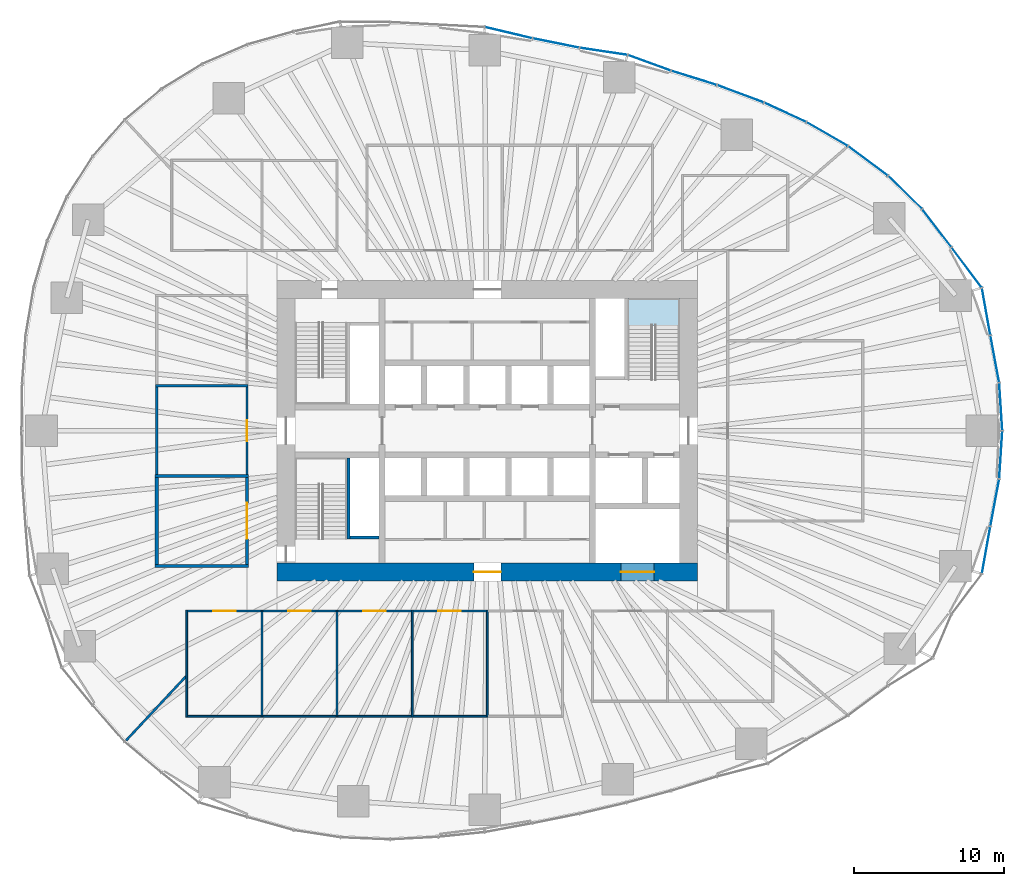
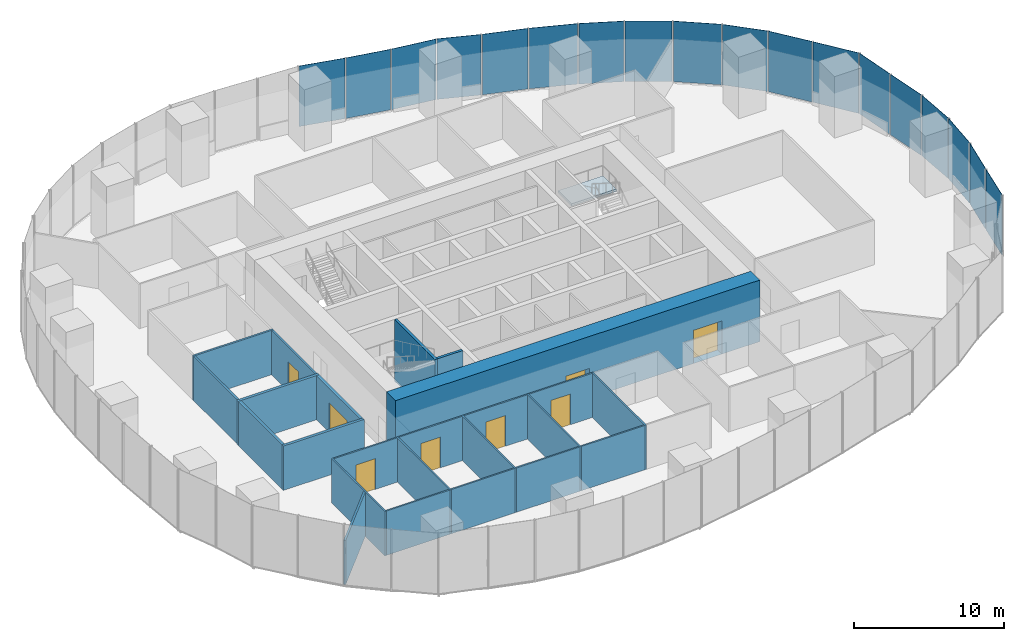
# One storey, part 9 of 20: 24 walls, 18 plates, 8 doors, 1 slab, 8 openings, 7 elements without a shape of their own.
"""IFC4 building model written with IfcOpenShell, lengths in metres."""

from ifc_helpers import new_model, si_unit, direction, frame, frame_2d, origin, origin_2d, place, context, subcontext, project, spatial, polyline, rectangle, outline, extrude, material, layer, layer_set, type_object, element, fill, aggregate, save


model = new_model("IFC4")

# Units and contexts
model_context = context("Model", 3, precision=1e-05, world=origin(), true_north=direction((0.0, 1.0)))
body_context = subcontext(model_context, "Body", "Model", "MODEL_VIEW")
ifc_project = project(units=[si_unit("LENGTHUNIT", "METRE"), si_unit("AREAUNIT", "SQUARE_METRE"), si_unit("VOLUMEUNIT", "CUBIC_METRE"), si_unit("PLANEANGLEUNIT", "RADIAN"), si_unit("MASSUNIT", "GRAM", prefix="KILO")], contexts=[model_context])

# Site, building, storey
site_placement = place(None, origin())
site = spatial("IfcSite", under=ifc_project, at=site_placement, CompositionType="ELEMENT")
building_placement = place(site_placement, origin())
building = spatial("IfcBuilding", under=site, at=building_placement, Name="Ghaith Harvest Tower", CompositionType="ELEMENT")
storey_placement = place(building_placement, frame((0.0, 0.0, 50.0)))
storey = spatial("IfcBuildingStorey", under=building, at=storey_placement, Name="L10", CompositionType="ELEMENT", Elevation=50.0)

# Curtain wall, plates
ifc_material_1 = material(Name="Black anodised aluminium and fritted glass", Category="aluminium")
curtain_wall_type = type_object("IfcCurtainWallType", Name="CW-F CURTAIN WALL", PredefinedType="NOTDEFINED", material=ifc_material_1)
curtain_wall_1_placement = place(storey_placement, origin())
curtain_wall_1 = element("IfcCurtainWall", 1, at=curtain_wall_1_placement, inside=storey, type_object=curtain_wall_type, Name="Curtain wall CW-F bay 01 L10", PredefinedType="NOTDEFINED")
ifc_material_2 = material(Name="Glass, high-transmission fritted double glazed unit", Category="glass")
ifc_layer_1 = layer(ifc_material_2, 0.028076171875)
ifc_layer_set_1 = layer_set([ifc_layer_1], Name="CW-F VISION PANEL")
plate_type = type_object("IfcPlateType", Name="CW-F VISION PANEL", PredefinedType="CURTAIN_PANEL", material=ifc_layer_set_1)
plate_1_placement = place(storey_placement, frame((34.181396484375, 1.602783203125, 0.080078125), z_axis=(0.0, 0.0, 1.0), x_axis=(-0.064445645786, 0.997921218704, 0.0)))
plate_1 = element("IfcPlate", 2, at=plate_1_placement, type_object=plate_type, Name="CW-F panel 1 bay 01 L10", PredefinedType="CURTAIN_PANEL", context=body_context, shape_type="SweptSolid", body=[
    extrude(rectangle(XDim=3.132080078125, YDim=0.028076171875, at=origin_2d()), origin(), (0.0, 0.0, 1.0), 4.919921875),
])
plate_2_placement = place(storey_placement, frame((33.78369140625, 4.78076171875, 0.080078125), z_axis=(0.0, 0.0, 1.0), x_axis=(-0.183569249502, 0.983006780565, 0.0)))
plate_2 = element("IfcPlate", 3, at=plate_2_placement, type_object=plate_type, Name="CW-F panel 2 bay 01 L10", PredefinedType="CURTAIN_PANEL", context=body_context, shape_type="SweptSolid", body=[
    extrude(rectangle(XDim=3.12548828125, YDim=0.028076171875, at=origin_2d()), origin(), (0.0, 0.0, 1.0), 4.919921875),
])
plate_3_placement = place(storey_placement, frame((33.20654296875, 7.93603515625, 0.080078125), z_axis=(0.0, 0.0, 1.0), x_axis=(-0.176319663586, 0.984332960046, 0.0)))
plate_3 = element("IfcPlate", 4, at=plate_3_placement, type_object=plate_type, Name="CW-F panel 3 bay 01 L10", PredefinedType="CURTAIN_PANEL", context=body_context, shape_type="SweptSolid", body=[
    extrude(rectangle(XDim=3.129638671875, YDim=0.028076171875, at=origin_2d()), origin(), (0.0, 0.0, 1.0), 4.919921875),
])
aggregate(curtain_wall_1, [plate_1, plate_2, plate_3])

curtain_wall_2_placement = place(storey_placement, origin())
curtain_wall_2 = element("IfcCurtainWall", 5, at=curtain_wall_2_placement, inside=storey, type_object=curtain_wall_type, Name="Curtain wall CW-F bay 02 L10", PredefinedType="NOTDEFINED")
plate_4_placement = place(storey_placement, frame((31.91015625, 10.865234375, 0.080078125), z_axis=(0.0, 0.0, 1.0), x_axis=(-0.600454091192, 0.799659230154, 0.0)))
plate_4 = element("IfcPlate", 6, at=plate_4_placement, type_object=plate_type, Name="CW-F panel 1 bay 02 L10", PredefinedType="CURTAIN_PANEL", context=body_context, shape_type="SweptSolid", body=[
    extrude(rectangle(XDim=3.295654296875, YDim=0.028076171875, at=origin_2d()), origin(), (0.0, 0.0, 1.0), 4.919921875),
])
plate_5_placement = place(storey_placement, frame((29.921875, 13.4892578125, 0.080078125), z_axis=(0.0, 0.0, 1.0), x_axis=(-0.607611877494, 0.794234100457, 0.0)))
plate_5 = element("IfcPlate", 7, at=plate_5_placement, type_object=plate_type, Name="CW-F panel 2 bay 02 L10", PredefinedType="CURTAIN_PANEL", context=body_context, shape_type="SweptSolid", body=[
    extrude(rectangle(XDim=3.128662109375, YDim=0.028076171875, at=origin_2d()), origin(), (0.0, 0.0, 1.0), 4.919921875),
])
plate_6_placement = place(storey_placement, frame((27.810546875, 15.869384765625, 0.080078125), z_axis=(0.0, 0.0, 1.0), x_axis=(-0.716691335472, 0.69739051446, 0.0)))
plate_6 = element("IfcPlate", 8, at=plate_6_placement, type_object=plate_type, Name="CW-F panel 3 bay 02 L10", PredefinedType="CURTAIN_PANEL", context=body_context, shape_type="SweptSolid", body=[
    extrude(rectangle(XDim=3.092041015625, YDim=0.028076171875, at=origin_2d()), origin(), (0.0, 0.0, 1.0), 4.919921875),
])
aggregate(curtain_wall_2, [plate_4, plate_5, plate_6])

curtain_wall_3_placement = place(storey_placement, origin())
curtain_wall_3 = element("IfcCurtainWall", 9, at=curtain_wall_3_placement, inside=storey, type_object=curtain_wall_type, Name="Curtain wall CW-F bay 03 L10", PredefinedType="NOTDEFINED")
plate_7_placement = place(storey_placement, frame((25.34619140625, 17.96142578125, 0.080078125), z_axis=(0.0, 0.0, 1.0), x_axis=(-0.802866788578, 0.596158468697, 0.0)))
plate_7 = element("IfcPlate", 10, at=plate_7_placement, type_object=plate_type, Name="CW-F panel 1 bay 03 L10", PredefinedType="CURTAIN_PANEL", context=body_context, shape_type="SweptSolid", body=[
    extrude(rectangle(XDim=3.2275390625, YDim=0.028076171875, at=origin_2d()), origin(), (0.0, 0.0, 1.0), 4.919921875),
])
plate_8_placement = place(storey_placement, frame((22.626953125, 19.750244140625, 0.080078125), z_axis=(0.0, 0.0, 1.0), x_axis=(-0.866159208358, 0.499768172033, 0.0)))
plate_8 = element("IfcPlate", 11, at=plate_8_placement, type_object=plate_type, Name="CW-F panel 2 bay 03 L10", PredefinedType="CURTAIN_PANEL", context=body_context, shape_type="SweptSolid", body=[
    extrude(rectangle(XDim=3.1328125, YDim=0.028076171875, at=origin_2d()), origin(), (0.0, 0.0, 1.0), 4.919921875),
])
plate_9_placement = place(storey_placement, frame((19.8291015625, 21.19970703125, 0.080078125), z_axis=(0.0, 0.0, 1.0), x_axis=(-0.908529586897, 0.417820523351, 0.0)))
plate_9 = element("IfcPlate", 12, at=plate_9_placement, type_object=plate_type, Name="CW-F panel 3 bay 03 L10", PredefinedType="CURTAIN_PANEL", context=body_context, shape_type="SweptSolid", body=[
    extrude(rectangle(XDim=3.01611328125, YDim=0.028076171875, at=origin_2d()), origin(), (0.0, 0.0, 1.0), 4.919921875),
])
aggregate(curtain_wall_3, [plate_7, plate_8, plate_9])

curtain_wall_4_placement = place(storey_placement, origin())
curtain_wall_4 = element("IfcCurtainWall", 13, at=curtain_wall_4_placement, inside=storey, type_object=curtain_wall_type, Name="Curtain wall CW-F bay 04 L10", PredefinedType="NOTDEFINED")
plate_10_placement = place(storey_placement, frame((16.85498046875, 22.431396484375, 0.080078125), z_axis=(0.0, 0.0, 1.0), x_axis=(-0.936926487964, 0.349526474178, 0.0)))
plate_10 = element("IfcPlate", 14, at=plate_10_placement, type_object=plate_type, Name="CW-F panel 1 bay 04 L10", PredefinedType="CURTAIN_PANEL", context=body_context, shape_type="SweptSolid", body=[
    extrude(rectangle(XDim=3.26611328125, YDim=0.028076171875, at=origin_2d()), origin(), (0.0, 0.0, 1.0), 4.919921875),
])
plate_11_placement = place(storey_placement, frame((13.760986328125, 23.490234375, 0.080078125), z_axis=(0.0, 0.0, 1.0), x_axis=(-0.954988265421, 0.296643578911, 0.0)))
plate_11 = element("IfcPlate", 15, at=plate_11_placement, type_object=plate_type, Name="CW-F panel 2 bay 04 L10", PredefinedType="CURTAIN_PANEL", context=body_context, shape_type="SweptSolid", body=[
    extrude(rectangle(XDim=3.1171875, YDim=0.028076171875, at=origin_2d()), origin(), (0.0, 0.0, 1.0), 4.919921875),
])
plate_12_placement = place(storey_placement, frame((10.793212890625, 24.490234375, 0.080078125), z_axis=(0.0, 0.0, 1.0), x_axis=(-0.939438435482, 0.342717705902, 0.0)))
plate_12 = element("IfcPlate", 16, at=plate_12_placement, type_object=plate_type, Name="CW-F panel 3 bay 04 L10", PredefinedType="CURTAIN_PANEL", context=body_context, shape_type="SweptSolid", body=[
    extrude(rectangle(XDim=2.98828125, YDim=0.028076171875, at=origin_2d()), origin(), (0.0, 0.0, 1.0), 4.919921875),
])
aggregate(curtain_wall_4, [plate_10, plate_11, plate_12])

curtain_wall_5_placement = place(storey_placement, origin())
curtain_wall_5 = element("IfcCurtainWall", 17, at=curtain_wall_5_placement, inside=storey, type_object=curtain_wall_type, Name="Curtain wall CW-F bay 05 L10", PredefinedType="NOTDEFINED")
plate_13_placement = place(storey_placement, frame((7.744384765625, 25.255615234375, 0.080078125), z_axis=(0.0, 0.0, 1.0), x_axis=(-0.989074249382, 0.147418211935, 0.0)))
plate_13 = element("IfcPlate", 18, at=plate_13_placement, type_object=plate_type, Name="CW-F panel 1 bay 05 L10", PredefinedType="CURTAIN_PANEL", context=body_context, shape_type="SweptSolid", body=[
    extrude(rectangle(XDim=3.17041015625, YDim=0.028076171875, at=origin_2d()), origin(), (0.0, 0.0, 1.0), 4.919921875),
])
plate_14_placement = place(storey_placement, frame((4.5732421875, 25.809326171875, 0.080078125), z_axis=(0.0, 0.0, 1.0), x_axis=(-0.980432348069, 0.196856320344, 0.0)))
plate_14 = element("IfcPlate", 19, at=plate_14_placement, type_object=plate_type, Name="CW-F panel 2 bay 05 L10", PredefinedType="CURTAIN_PANEL", context=body_context, shape_type="SweptSolid", body=[
    extrude(rectangle(XDim=3.1103515625, YDim=0.028076171875, at=origin_2d()), origin(), (0.0, 0.0, 1.0), 4.919921875),
])
plate_15_placement = place(storey_placement, frame((1.41259765625, 26.500244140625, 0.080078125), z_axis=(0.0, 0.0, 1.0), x_axis=(-0.97324595378, 0.229765779545, 0.0)))
plate_15 = element("IfcPlate", 20, at=plate_15_placement, type_object=plate_type, Name="CW-F panel 3 bay 05 L10", PredefinedType="CURTAIN_PANEL", context=body_context, shape_type="SweptSolid", body=[
    extrude(rectangle(XDim=3.200927734375, YDim=0.028076171875, at=origin_2d()), origin(), (0.0, 0.0, 1.0), 4.919921875),
])
aggregate(curtain_wall_5, [plate_13, plate_14, plate_15])

curtain_wall_6_placement = place(storey_placement, origin())
curtain_wall_6 = element("IfcCurtainWall", 21, at=curtain_wall_6_placement, inside=storey, type_object=curtain_wall_type, Name="Curtain wall CW-F bay 20 L10", PredefinedType="NOTDEFINED")
plate_16_placement = place(storey_placement, frame((33.20654296875, -7.93603515625, 0.080078125), z_axis=(0.0, 0.0, 1.0), x_axis=(0.176319663878, 0.984332959994, 0.0)))
plate_16 = element("IfcPlate", 22, at=plate_16_placement, type_object=plate_type, Name="CW-F panel 1 bay 20 L10", PredefinedType="CURTAIN_PANEL", context=body_context, shape_type="SweptSolid", body=[
    extrude(rectangle(XDim=3.129638671875, YDim=0.028076171875, at=origin_2d()), origin(), (0.0, 0.0, 1.0), 4.919921875),
])
plate_17_placement = place(storey_placement, frame((33.78369140625, -4.78076171875, 0.080078125), z_axis=(0.0, 0.0, 1.0), x_axis=(0.183569249777, 0.983006780514, 0.0)))
plate_17 = element("IfcPlate", 23, at=plate_17_placement, type_object=plate_type, Name="CW-F panel 2 bay 20 L10", PredefinedType="CURTAIN_PANEL", context=body_context, shape_type="SweptSolid", body=[
    extrude(rectangle(XDim=3.12548828125, YDim=0.028076171875, at=origin_2d()), origin(), (0.0, 0.0, 1.0), 4.919921875),
])
plate_18_placement = place(storey_placement, frame((34.181396484375, -1.602783203125, 0.080078125), z_axis=(0.0, 0.0, 1.0), x_axis=(0.064445645891, 0.997921218697, 0.0)))
plate_18 = element("IfcPlate", 24, at=plate_18_placement, type_object=plate_type, Name="CW-F panel 3 bay 20 L10", PredefinedType="CURTAIN_PANEL", context=body_context, shape_type="SweptSolid", body=[
    extrude(rectangle(XDim=3.132080078125, YDim=0.028076171875, at=origin_2d()), origin(), (0.0, 0.0, 1.0), 4.919921875),
])
aggregate(curtain_wall_6, [plate_16, plate_17, plate_18])

# Stair, slab
ifc_material_3 = material(Name="Concrete C40/50, precast", Category="concrete")
stair_type = type_object("IfcStairType", Name="CORE STAIR 28R", PredefinedType="HALF_TURN_STAIR", material=ifc_material_3)
stair_placement = place(storey_placement, origin())
stair = element("IfcStair", 25, at=stair_placement, inside=storey, type_object=stair_type, Name="Stair ST2 L10", PredefinedType="HALF_TURN_STAIR")
ifc_material_4 = material(Name="Concrete C40/50, precast", Category="concrete")
ifc_layer_2 = layer(ifc_material_4, 0.179931640625)
ifc_layer_set_2 = layer_set([ifc_layer_2], Name="STAIR LANDING 180")
slab_type = type_object("IfcSlabType", Name="STAIR LANDING 180", PredefinedType="LANDING", material=ifc_layer_set_2)
slab_placement = place(storey_placement, frame((0.0, 0.0, 2.320068359375)))
slab = element("IfcSlab", 26, at=slab_placement, type_object=slab_type, Name="ST2 landing 1", PredefinedType="LANDING", context=body_context, shape_type="SweptSolid", body=[
    extrude(outline(polyline([(12.800048828125, 7.02001953125), (12.800048828125, 8.800048828125), (9.35009765625, 8.800048828125), (9.35009765625, 7.02001953125), (12.800048828125, 7.02001953125)])), origin(), (0.0, 0.0, 1.0), 0.179931640625),
])
aggregate(stair, [slab])

# Walls
ifc_material_5 = material(Name="Concrete blockwork, 1-hour", Category="masonry")
ifc_layer_3 = layer(ifc_material_5, 0.215087890625)
ifc_layer_set_3 = layer_set([ifc_layer_3], Name="BLOCKWORK WALL 215")
wall_type_1 = type_object("IfcWallType", Name="BLOCKWORK WALL 215", PredefinedType="PARTITIONING", material=ifc_layer_set_3)
for number, where, z_axis, x_axis, name in (
    (27, (-15.892578125, -9.0, 0.0), (0.0, 0.0, 1.0), (-1.0, 0.0, 0.0), "Partition L10 row W6 cross wall 1"),
    (28, (-15.892578125, -3.0, 0.0), (0.0, 0.0, 1.0), (-1.0, 0.0, 0.0), "Partition L10 row W6 cross wall 2"),
):
    element("IfcWall", number, at=place(storey_placement, frame(where, z_axis=z_axis, x_axis=x_axis)), inside=storey, type_object=wall_type_1, Name=name, PredefinedType="PARTITIONING", context=body_context, shape_type="SweptSolid", body=[
        extrude(rectangle(XDim=6.21484375, YDim=0.215087890625, at=frame_2d((3.107421875, 0.0))), origin(), (0.0, 0.0, 1.0), 3.60009765625),
    ])

# Wall, opening, door
wall_1_placement = place(storey_placement, frame((-16.0, -8.892578125, 0.0), z_axis=(0.0, 0.0, 1.0), x_axis=(0.0, 1.0, 0.0)))
wall_1 = element("IfcWall", 29, at=wall_1_placement, inside=storey, type_object=wall_type_1, Name="Partition L10-14", PredefinedType="PARTITIONING", context=body_context, shape_type="SweptSolid", body=[
    extrude(rectangle(XDim=5.78515625, YDim=0.215087890625, at=frame_2d((2.892578125, 0.0))), origin(), (0.0, 0.0, 1.0), 3.60009765625),
])
opening_1_placement = place(wall_1_placement, frame((1.6923828125, 0.0, 0.0)))
opening_1 = element("IfcOpeningElement", 30, at=opening_1_placement, cuts=wall_1, Name="Opening 10-038", PredefinedType="OPENING", context=body_context, shape_type="SweptSolid", body=[
    extrude(rectangle(XDim=2.39990234375, YDim=2.39990234375, at=frame_2d((1.199951171875, 1.199951171875))), frame((0.0, 0.11767578125, 0.0), z_axis=(0.0, -1.0, 0.0), x_axis=(1.0, 0.0, 0.0)), (0.0, 0.0, 1.0), 0.235107421875),
])
ifc_material_6 = material(Name="Timber door", Category="wood")
door_type_1 = type_object("IfcDoorType", Name="D10 PLANT PAIR 2400x2400", OperationType="DOUBLE_DOOR_SINGLE_SWING", PredefinedType="DOOR", material=ifc_material_6)
door_1_placement = place(opening_1_placement, origin())
door_1 = element("IfcDoor", 31, at=door_1_placement, inside=storey, type_object=door_type_1, Name="Nutrient tank room door", OperationType="DOUBLE_DOOR_SINGLE_SWING", OverallHeight=2.39990234375, OverallWidth=2.39990234375, PredefinedType="DOOR", context=body_context, shape_type="SweptSolid", body=[
    extrude(rectangle(XDim=2.39990234375, YDim=2.39990234375, at=frame_2d((1.199951171875, 1.199951171875))), frame((0.0, 0.02490234375, 0.0), z_axis=(0.0, -1.0, 0.0), x_axis=(1.0, 0.0, 0.0)), (0.0, 0.0, 1.0), 0.050048828125),
])
fill(opening_1, door_1)

# Wall
wall_2_placement = place(storey_placement, frame((-22.0, -8.892578125, 0.0), z_axis=(0.0, 0.0, 1.0), x_axis=(0.0, 1.0, 0.0)))
element("IfcWall", 32, at=wall_2_placement, inside=storey, type_object=wall_type_1, Name="Partition L10-14", PredefinedType="PARTITIONING", context=body_context, shape_type="SweptSolid", body=[
    extrude(rectangle(XDim=5.78515625, YDim=0.215087890625, at=frame_2d((2.892578125, 0.0))), origin(), (0.0, 0.0, 1.0), 3.60009765625),
])

# Wall, openings, doors
ifc_material_7 = material(Name="Concrete C70/85", Category="concrete")
ifc_layer_4 = layer(ifc_material_7, 1.199951171875)
ifc_layer_set_4 = layer_set([ifc_layer_4], Name="CORE WALL CW1200")
wall_type_2 = type_object("IfcWallType", Name="CORE WALL CW1200", PredefinedType="SHEAR", material=ifc_layer_set_4)
wall_3_placement = place(storey_placement, frame((-14.0, -9.39990234375, 0.0), z_axis=(0.0, 0.0, 1.0), x_axis=(1.0, 0.0, 0.0)))
wall_3 = element("IfcWall", 33, at=wall_3_placement, inside=storey, type_object=wall_type_2, Name="Core wall S L10", PredefinedType="SHEAR", context=body_context, shape_type="SweptSolid", body=[
    extrude(rectangle(XDim=28.0, YDim=1.199951171875, at=frame_2d((14.0, 0.0))), origin(), (0.0, 0.0, 1.0), 5.0),
])
opening_2_placement = place(wall_3_placement, frame((13.10009765625, 0.0, 0.0)))
opening_2 = element("IfcOpeningElement", 34, at=opening_2_placement, cuts=wall_3, Name="Opening 10-017", PredefinedType="OPENING", context=body_context, shape_type="SweptSolid", body=[
    extrude(rectangle(XDim=1.800048828125, YDim=2.39990234375, at=frame_2d((0.89990234375, 1.199951171875))), frame((0.0, 0.60986328125, 0.0), z_axis=(0.0, -1.0, 0.0), x_axis=(1.0, 0.0, 0.0)), (0.0, 0.0, 1.0), 1.219970703125),
])
opening_3_placement = place(wall_3_placement, frame((22.89990234375, 0.0, 0.0)))
opening_3 = element("IfcOpeningElement", 35, at=opening_3_placement, cuts=wall_3, Name="Opening 10-024", PredefinedType="OPENING", context=body_context, shape_type="SweptSolid", body=[
    extrude(rectangle(XDim=2.199951171875, YDim=2.699951171875, at=frame_2d((1.10009765625, 1.35009765625))), frame((0.0, 0.60986328125, 0.0), z_axis=(0.0, -1.0, 0.0), x_axis=(1.0, 0.0, 0.0)), (0.0, 0.0, 1.0), 1.219970703125),
])
ifc_material_8 = material(Name="Steel fire door", Category="steel")
door_type_2 = type_object("IfcDoorType", Name="D4 FD90 PAIR 1800x2400", OperationType="DOUBLE_DOOR_SINGLE_SWING", PredefinedType="DOOR", material=ifc_material_8)
door_2_placement = place(opening_2_placement, origin())
door_2 = element("IfcDoor", 36, at=door_2_placement, inside=storey, type_object=door_type_2, Name="Core service corridor doors", OperationType="DOUBLE_DOOR_SINGLE_SWING", OverallHeight=2.39990234375, OverallWidth=1.800048828125, PredefinedType="DOOR", context=body_context, shape_type="SweptSolid", body=[
    extrude(rectangle(XDim=1.800048828125, YDim=2.39990234375, at=frame_2d((0.89990234375, 1.199951171875))), frame((0.0, 0.02490234375, 0.0), z_axis=(0.0, -1.0, 0.0), x_axis=(1.0, 0.0, 0.0)), (0.0, 0.0, 1.0), 0.050048828125),
])
fill(opening_2, door_2)
ifc_material_9 = material(Name="Steel fire door", Category="steel")
door_type_3 = type_object("IfcDoorType", Name="LD3 LANDING 2200x2700", OperationType="DOUBLE_DOOR_SLIDING", PredefinedType="DOOR", material=ifc_material_9)
door_3_placement = place(opening_3_placement, origin())
door_3 = element("IfcDoor", 37, at=door_3_placement, inside=storey, type_object=door_type_3, Name="Landing door, goods lift GL1", OperationType="DOUBLE_DOOR_SLIDING", OverallHeight=2.699951171875, OverallWidth=2.199951171875, PredefinedType="DOOR", context=body_context, shape_type="SweptSolid", body=[
    extrude(rectangle(XDim=2.199951171875, YDim=2.699951171875, at=frame_2d((1.10009765625, 1.35009765625))), frame((0.0, 0.02490234375, 0.0), z_axis=(0.0, -1.0, 0.0), x_axis=(1.0, 0.0, 0.0)), (0.0, 0.0, 1.0), 0.050048828125),
])
fill(opening_3, door_3)

# Walls
ifc_material_10 = material(Name="Insulated food-grade panel", Category="steel")
ifc_layer_5 = layer(ifc_material_10, 0.1201171875)
ifc_layer_set_5 = layer_set([ifc_layer_5], Name="INSULATED PANEL WALL 120")
wall_type_3 = type_object("IfcWallType", Name="INSULATED PANEL WALL 120", PredefinedType="PARTITIONING", material=ifc_layer_set_5)
for number, where, z_axis, x_axis, name in (
    (38, (-20.0, -11.93994140625, 0.0), (0.0, 0.0, 1.0), (0.0, -1.0, 0.0), "Partition L10 row S1 cross wall 1"),
    (39, (-15.0, -11.93994140625, 0.0), (0.0, 0.0, 1.0), (0.0, -1.0, 0.0), "Partition L10 row S1 cross wall 2"),
    (40, (-10.0, -11.93994140625, 0.0), (0.0, 0.0, 1.0), (0.0, -1.0, 0.0), "Partition L10 row S1 cross wall 3"),
    (41, (-5.0, -11.93994140625, 0.0), (0.0, 0.0, 1.0), (0.0, -1.0, 0.0), "Partition L10 row S1 cross wall 4"),
    (42, (0.0, -11.93994140625, 0.0), (0.0, 0.0, 1.0), (0.0, -1.0, 0.0), "Partition L10 row S1 cross wall 5"),
):
    element("IfcWall", number, at=place(storey_placement, frame(where, z_axis=z_axis, x_axis=x_axis)), inside=storey, type_object=wall_type_3, Name=name, PredefinedType="PARTITIONING", context=body_context, shape_type="SweptSolid", body=[
        extrude(rectangle(XDim=7.1201171875, YDim=0.1201171875, at=frame_2d((3.56005859375, 0.0))), origin(), (0.0, 0.0, 1.0), 3.60009765625),
    ])

# Wall, opening, door
wall_4_placement = place(storey_placement, frame((-19.93994140625, -12.0, 0.0), z_axis=(0.0, 0.0, 1.0), x_axis=(1.0, 0.0, 0.0)))
wall_4 = element("IfcWall", 43, at=wall_4_placement, inside=storey, type_object=wall_type_3, Name="Partition L10-01", PredefinedType="PARTITIONING", context=body_context, shape_type="SweptSolid", body=[
    extrude(rectangle(XDim=4.8798828125, YDim=0.1201171875, at=frame_2d((2.43994140625, 0.0))), origin(), (0.0, 0.0, 1.0), 3.60009765625),
])
opening_4_placement = place(wall_4_placement, frame((1.68994140625, 0.0, 0.0)))
opening_4 = element("IfcOpeningElement", 44, at=opening_4_placement, cuts=wall_4, Name="Opening 10-025", PredefinedType="OPENING", context=body_context, shape_type="SweptSolid", body=[
    extrude(rectangle(XDim=1.5, YDim=2.5, at=frame_2d((0.75, 1.25))), frame((0.0, 0.070068359375, 0.0), z_axis=(0.0, -1.0, 0.0), x_axis=(1.0, 0.0, 0.0)), (0.0, 0.0, 1.0), 0.14013671875),
])
ifc_material_11 = material(Name="Insulated steel sliding door", Category="steel")
door_type_4 = type_object("IfcDoorType", Name="D13 COLD STORE SLIDING 1500x2500", OperationType="SLIDING_TO_LEFT", PredefinedType="DOOR", material=ifc_material_11)
door_4_placement = place(opening_4_placement, origin())
door_4 = element("IfcDoor", 45, at=door_4_placement, inside=storey, type_object=door_type_4, Name="Microgreen chamber door", OperationType="SLIDING_TO_LEFT", OverallHeight=2.5, OverallWidth=1.5, PredefinedType="DOOR", context=body_context, shape_type="SweptSolid", body=[
    extrude(rectangle(XDim=1.5, YDim=2.5, at=frame_2d((0.75, 1.25))), frame((0.0, 0.02490234375, 0.0), z_axis=(0.0, -1.0, 0.0), x_axis=(1.0, 0.0, 0.0)), (0.0, 0.0, 1.0), 0.050048828125),
])
fill(opening_4, door_4)

# Wall
wall_5_placement = place(storey_placement, frame((-19.93994140625, -19.0, 0.0), z_axis=(0.0, 0.0, 1.0), x_axis=(1.0, 0.0, 0.0)))
element("IfcWall", 46, at=wall_5_placement, inside=storey, type_object=wall_type_3, Name="Partition L10-01", PredefinedType="PARTITIONING", context=body_context, shape_type="SweptSolid", body=[
    extrude(rectangle(XDim=4.8798828125, YDim=0.1201171875, at=frame_2d((2.43994140625, 0.0))), origin(), (0.0, 0.0, 1.0), 3.60009765625),
])

# Wall, opening, door
wall_6_placement = place(storey_placement, frame((-14.93994140625, -12.0, 0.0), z_axis=(0.0, 0.0, 1.0), x_axis=(1.0, 0.0, 0.0)))
wall_6 = element("IfcWall", 47, at=wall_6_placement, inside=storey, type_object=wall_type_3, Name="Partition L10-02", PredefinedType="PARTITIONING", context=body_context, shape_type="SweptSolid", body=[
    extrude(rectangle(XDim=4.8798828125, YDim=0.1201171875, at=frame_2d((2.43994140625, 0.0))), origin(), (0.0, 0.0, 1.0), 3.60009765625),
])
opening_5_placement = place(wall_6_placement, frame((1.68994140625, 0.0, 0.0)))
opening_5 = element("IfcOpeningElement", 48, at=opening_5_placement, cuts=wall_6, Name="Opening 10-026", PredefinedType="OPENING", context=body_context, shape_type="SweptSolid", body=[
    extrude(rectangle(XDim=1.5, YDim=2.5, at=frame_2d((0.75, 1.25))), frame((0.0, 0.070068359375, 0.0), z_axis=(0.0, -1.0, 0.0), x_axis=(1.0, 0.0, 0.0)), (0.0, 0.0, 1.0), 0.14013671875),
])
door_5_placement = place(opening_5_placement, origin())
door_5 = element("IfcDoor", 49, at=door_5_placement, inside=storey, type_object=door_type_4, Name="Microgreen chamber door", OperationType="SLIDING_TO_LEFT", OverallHeight=2.5, OverallWidth=1.5, PredefinedType="DOOR", context=body_context, shape_type="SweptSolid", body=[
    extrude(rectangle(XDim=1.5, YDim=2.5, at=frame_2d((0.75, 1.25))), frame((0.0, 0.02490234375, 0.0), z_axis=(0.0, -1.0, 0.0), x_axis=(1.0, 0.0, 0.0)), (0.0, 0.0, 1.0), 0.050048828125),
])
fill(opening_5, door_5)

# Wall
wall_7_placement = place(storey_placement, frame((-14.93994140625, -19.0, 0.0), z_axis=(0.0, 0.0, 1.0), x_axis=(1.0, 0.0, 0.0)))
element("IfcWall", 50, at=wall_7_placement, inside=storey, type_object=wall_type_3, Name="Partition L10-02", PredefinedType="PARTITIONING", context=body_context, shape_type="SweptSolid", body=[
    extrude(rectangle(XDim=4.8798828125, YDim=0.1201171875, at=frame_2d((2.43994140625, 0.0))), origin(), (0.0, 0.0, 1.0), 3.60009765625),
])

# Wall, opening, door
wall_8_placement = place(storey_placement, frame((-9.93994140625, -12.0, 0.0), z_axis=(0.0, 0.0, 1.0), x_axis=(1.0, 0.0, 0.0)))
wall_8 = element("IfcWall", 51, at=wall_8_placement, inside=storey, type_object=wall_type_3, Name="Partition L10-03", PredefinedType="PARTITIONING", context=body_context, shape_type="SweptSolid", body=[
    extrude(rectangle(XDim=4.8798828125, YDim=0.1201171875, at=frame_2d((2.43994140625, 0.0))), origin(), (0.0, 0.0, 1.0), 3.60009765625),
])
opening_6_placement = place(wall_8_placement, frame((1.68994140625, 0.0, 0.0)))
opening_6 = element("IfcOpeningElement", 52, at=opening_6_placement, cuts=wall_8, Name="Opening 10-027", PredefinedType="OPENING", context=body_context, shape_type="SweptSolid", body=[
    extrude(rectangle(XDim=1.5, YDim=2.5, at=frame_2d((0.75, 1.25))), frame((0.0, 0.070068359375, 0.0), z_axis=(0.0, -1.0, 0.0), x_axis=(1.0, 0.0, 0.0)), (0.0, 0.0, 1.0), 0.14013671875),
])
door_6_placement = place(opening_6_placement, origin())
door_6 = element("IfcDoor", 53, at=door_6_placement, inside=storey, type_object=door_type_4, Name="Microgreen chamber door", OperationType="SLIDING_TO_LEFT", OverallHeight=2.5, OverallWidth=1.5, PredefinedType="DOOR", context=body_context, shape_type="SweptSolid", body=[
    extrude(rectangle(XDim=1.5, YDim=2.5, at=frame_2d((0.75, 1.25))), frame((0.0, 0.02490234375, 0.0), z_axis=(0.0, -1.0, 0.0), x_axis=(1.0, 0.0, 0.0)), (0.0, 0.0, 1.0), 0.050048828125),
])
fill(opening_6, door_6)

# Wall
wall_9_placement = place(storey_placement, frame((-9.93994140625, -19.0, 0.0), z_axis=(0.0, 0.0, 1.0), x_axis=(1.0, 0.0, 0.0)))
element("IfcWall", 54, at=wall_9_placement, inside=storey, type_object=wall_type_3, Name="Partition L10-03", PredefinedType="PARTITIONING", context=body_context, shape_type="SweptSolid", body=[
    extrude(rectangle(XDim=4.8798828125, YDim=0.1201171875, at=frame_2d((2.43994140625, 0.0))), origin(), (0.0, 0.0, 1.0), 3.60009765625),
])

# Wall, opening, door
wall_10_placement = place(storey_placement, frame((-4.93994140625, -12.0, 0.0), z_axis=(0.0, 0.0, 1.0), x_axis=(1.0, 0.0, 0.0)))
wall_10 = element("IfcWall", 55, at=wall_10_placement, inside=storey, type_object=wall_type_3, Name="Partition L10-04", PredefinedType="PARTITIONING", context=body_context, shape_type="SweptSolid", body=[
    extrude(rectangle(XDim=4.8798828125, YDim=0.1201171875, at=frame_2d((2.43994140625, 0.0))), origin(), (0.0, 0.0, 1.0), 3.60009765625),
])
opening_7_placement = place(wall_10_placement, frame((1.68994140625, 0.0, 0.0)))
opening_7 = element("IfcOpeningElement", 56, at=opening_7_placement, cuts=wall_10, Name="Opening 10-028", PredefinedType="OPENING", context=body_context, shape_type="SweptSolid", body=[
    extrude(rectangle(XDim=1.5, YDim=2.5, at=frame_2d((0.75, 1.25))), frame((0.0, 0.070068359375, 0.0), z_axis=(0.0, -1.0, 0.0), x_axis=(1.0, 0.0, 0.0)), (0.0, 0.0, 1.0), 0.14013671875),
])
door_7_placement = place(opening_7_placement, origin())
door_7 = element("IfcDoor", 57, at=door_7_placement, inside=storey, type_object=door_type_4, Name="Microgreen chamber door", OperationType="SLIDING_TO_LEFT", OverallHeight=2.5, OverallWidth=1.5, PredefinedType="DOOR", context=body_context, shape_type="SweptSolid", body=[
    extrude(rectangle(XDim=1.5, YDim=2.5, at=frame_2d((0.75, 1.25))), frame((0.0, 0.02490234375, 0.0), z_axis=(0.0, -1.0, 0.0), x_axis=(1.0, 0.0, 0.0)), (0.0, 0.0, 1.0), 0.050048828125),
])
fill(opening_7, door_7)

# Walls
wall_11_placement = place(storey_placement, frame((-4.93994140625, -19.0, 0.0), z_axis=(0.0, 0.0, 1.0), x_axis=(1.0, 0.0, 0.0)))
element("IfcWall", 58, at=wall_11_placement, inside=storey, type_object=wall_type_3, Name="Partition L10-04", PredefinedType="PARTITIONING", context=body_context, shape_type="SweptSolid", body=[
    extrude(rectangle(XDim=4.8798828125, YDim=0.1201171875, at=frame_2d((2.43994140625, 0.0))), origin(), (0.0, 0.0, 1.0), 3.60009765625),
])
ifc_material_12 = material(Name="Gypsum board on steel studs", Category="steel")
ifc_layer_6 = layer(ifc_material_12, 0.14990234375)
ifc_layer_set_6 = layer_set([ifc_layer_6], Name="PARTITION 150")
wall_type_4 = type_object("IfcWallType", Name="PARTITION 150", PredefinedType="PARTITIONING", material=ifc_layer_set_6)
wall_12_placement = place(storey_placement, frame((-15.925048828125, 3.0, 0.0), z_axis=(0.0, 0.0, 1.0), x_axis=(-1.0, 0.0, 0.0)))
element("IfcWall", 59, at=wall_12_placement, inside=storey, type_object=wall_type_4, Name="Partition L10 row W6 cross wall 3", PredefinedType="PARTITIONING", context=body_context, shape_type="SweptSolid", body=[
    extrude(rectangle(XDim=6.14990234375, YDim=0.14990234375, at=frame_2d((3.074951171875, 0.0))), origin(), (0.0, 0.0, 1.0), 3.60009765625),
])

# Wall, opening, door
wall_13_placement = place(storey_placement, frame((-16.0, -2.892578125, 0.0), z_axis=(0.0, 0.0, 1.0), x_axis=(0.0, 1.0, 0.0)))
wall_13 = element("IfcWall", 60, at=wall_13_placement, inside=storey, type_object=wall_type_4, Name="Partition L10-15", PredefinedType="PARTITIONING", context=body_context, shape_type="SweptSolid", body=[
    extrude(rectangle(XDim=5.817626953125, YDim=0.14990234375, at=frame_2d((2.90869140625, 0.0))), origin(), (0.0, 0.0, 1.0), 3.60009765625),
])
opening_8_placement = place(wall_13_placement, frame((2.208740234375, 0.0, 0.0)))
opening_8 = element("IfcOpeningElement", 61, at=opening_8_placement, cuts=wall_13, Name="Opening 10-039", PredefinedType="OPENING", context=body_context, shape_type="SweptSolid", body=[
    extrude(rectangle(XDim=1.39990234375, YDim=2.39990234375, at=frame_2d((0.699951171875, 1.199951171875))), frame((0.0, 0.0849609375, 0.0), z_axis=(0.0, -1.0, 0.0), x_axis=(1.0, 0.0, 0.0)), (0.0, 0.0, 1.0), 0.169921875),
])
ifc_material_13 = material(Name="Stainless steel faced door pair", Category="steel")
door_type_5 = type_object("IfcDoorType", Name="D14 HYGIENE PAIR 1400x2400", OperationType="DOUBLE_DOOR_DOUBLE_SWING", PredefinedType="DOOR", material=ifc_material_13)
door_8_placement = place(opening_8_placement, origin())
door_8 = element("IfcDoor", 62, at=door_8_placement, inside=storey, type_object=door_type_5, Name="Tray wash room door", OperationType="DOUBLE_DOOR_DOUBLE_SWING", OverallHeight=2.39990234375, OverallWidth=1.39990234375, PredefinedType="DOOR", context=body_context, shape_type="SweptSolid", body=[
    extrude(rectangle(XDim=1.39990234375, YDim=2.39990234375, at=frame_2d((0.699951171875, 1.199951171875))), frame((0.0, 0.02490234375, 0.0), z_axis=(0.0, -1.0, 0.0), x_axis=(1.0, 0.0, 0.0)), (0.0, 0.0, 1.0), 0.050048828125),
])
fill(opening_8, door_8)

# Walls
wall_14_placement = place(storey_placement, frame((-22.0, -2.892578125, 0.0), z_axis=(0.0, 0.0, 1.0), x_axis=(0.0, 1.0, 0.0)))
element("IfcWall", 63, at=wall_14_placement, inside=storey, type_object=wall_type_4, Name="Partition L10-15", PredefinedType="PARTITIONING", context=body_context, shape_type="SweptSolid", body=[
    extrude(rectangle(XDim=5.817626953125, YDim=0.14990234375, at=frame_2d((2.90869140625, 0.0))), origin(), (0.0, 0.0, 1.0), 3.60009765625),
])
wall_15_placement = place(storey_placement, frame((-20.02001953125, -16.3046875, 0.0), z_axis=(0.0, 0.0, 1.0), x_axis=(-0.682516386928, -0.730870290527, 0.0)))
element("IfcWall", 64, at=wall_15_placement, inside=storey, type_object=wall_type_4, Name="Partition L10 zone division", PredefinedType="PARTITIONING", context=body_context, shape_type="SweptSolid", body=[
    extrude(rectangle(XDim=5.882080078125, YDim=0.14990234375, at=frame_2d((2.94091796875, 0.0))), origin(), (0.0, 0.0, 1.0), 3.60009765625),
])
ifc_material_14 = material(Name="Concrete C40/50", Category="concrete")
ifc_layer_7 = layer(ifc_material_14, 0.199951171875)
ifc_layer_set_7 = layer_set([ifc_layer_7], Name="STAIR SPINE WALL RC200")
wall_type_5 = type_object("IfcWallType", Name="STAIR SPINE WALL RC200", PredefinedType="SOLIDWALL", material=ifc_layer_set_7)
wall_16_placement = place(storey_placement, frame((-9.25, -7.199951171875, 0.0), z_axis=(0.0, 0.0, 1.0), x_axis=(0.0, 1.0, 0.0)))
element("IfcWall", 65, at=wall_16_placement, inside=storey, type_object=wall_type_5, Name="Stair ST3 spine wall L10", PredefinedType="SOLIDWALL", context=body_context, shape_type="SweptSolid", body=[
    extrude(rectangle(XDim=5.39990234375, YDim=0.199951171875, at=frame_2d((2.699951171875, 0.0))), origin(), (0.0, 0.0, 1.0), 5.0),
])
wall_17_placement = place(storey_placement, frame((-9.14990234375, -7.10009765625, 0.0), z_axis=(0.0, 0.0, 1.0), x_axis=(1.0, 0.0, 0.0)))
element("IfcWall", 66, at=wall_17_placement, inside=storey, type_object=wall_type_5, Name="Stair ST3 spine wall return L10", PredefinedType="SOLIDWALL", context=body_context, shape_type="SweptSolid", body=[
    extrude(rectangle(XDim=1.949951171875, YDim=0.199951171875, at=frame_2d((0.97509765625, 0.0))), origin(), (0.0, 0.0, 1.0), 5.0),
])

save(model, "model.ifc")
